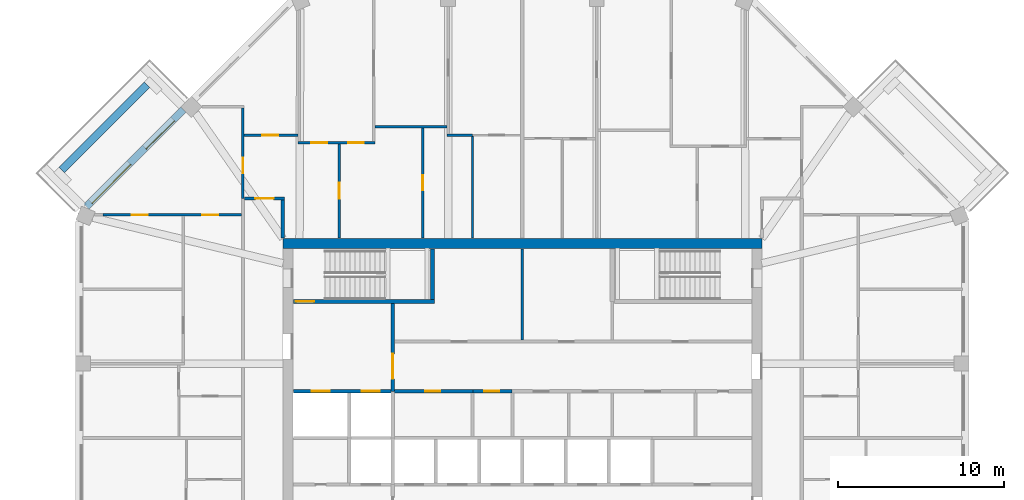
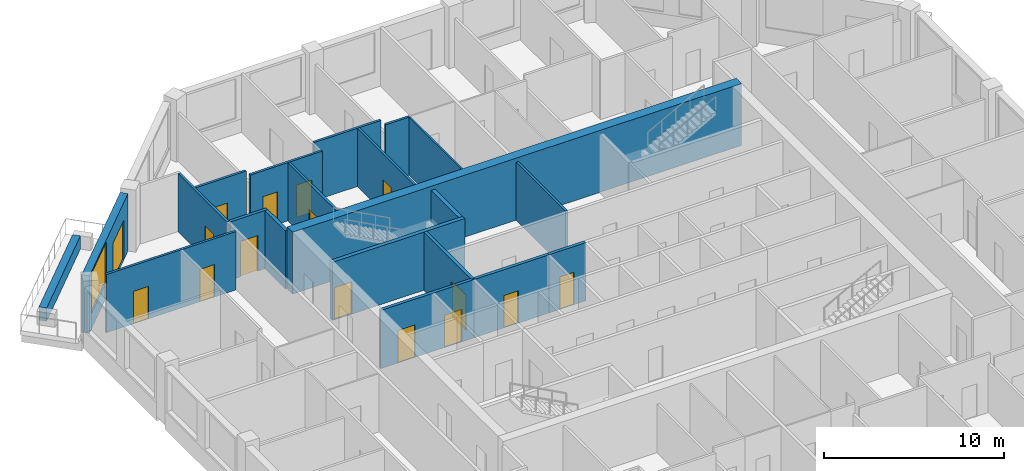
# One storey, part 7 of 11: 21 walls, 16 doors, 1 window, 17 openings.
"""IFC4 building model written with IfcOpenShell, lengths in metres."""

from ifc_helpers import new_model, si_unit, direction, frame, frame_2d, origin, place, context, subcontext, project, spatial, rectangle, extrude, material, layer, layer_set, type_object, element, fill, save


model = new_model("IFC4")

# Units and contexts
model_context = context("Model", 3, precision=1e-05, world=origin(), true_north=direction((0.0, 1.0)))
body_context = subcontext(model_context, "Body", "Model", "MODEL_VIEW")
ifc_project = project(units=[si_unit("LENGTHUNIT", "METRE"), si_unit("AREAUNIT", "SQUARE_METRE"), si_unit("VOLUMEUNIT", "CUBIC_METRE"), si_unit("PLANEANGLEUNIT", "RADIAN"), si_unit("MASSUNIT", "GRAM", prefix="KILO")], contexts=[model_context])

# Site, building, storey
site_placement = place(None, origin())
site = spatial("IfcSite", under=ifc_project, at=site_placement, CompositionType="ELEMENT")
building_placement = place(site_placement, origin())
building = spatial("IfcBuilding", under=site, at=building_placement, Name="Msitu Wima Residences", CompositionType="ELEMENT")
storey_placement = place(building_placement, frame((0.0, 0.0, 230.699951171875)))
storey = spatial("IfcBuildingStorey", under=building, at=storey_placement, Name="L53", CompositionType="ELEMENT", Elevation=230.699951171875)

# Wall
ifc_material_1 = material(Name="Facing brick")
ifc_layer_1 = layer(ifc_material_1, 0.06494140625, Name="Facing brick")
ifc_material_2 = material(Name="Concrete C40/50", Category="concrete")
ifc_layer_2 = layer(ifc_material_2, 0.156005859375, Name="Concrete C40/50")
ifc_material_3 = material(Name="Waterproofing membrane")
ifc_layer_3 = layer(ifc_material_3, 0.00390625, Name="Waterproofing membrane")
ifc_material_4 = material(Name="Planting soil and planting")
ifc_layer_4 = layer(ifc_material_4, 0.22509765625, Name="Planting soil and planting")
ifc_layer_set_1 = layer_set([ifc_layer_1, ifc_layer_2, ifc_layer_3, ifc_layer_4], Name="Concrete C40/50")
wall_type_1 = type_object("IfcWallType", Name="Balcony planter PLANTER PL450", PredefinedType="USERDEFINED", material=ifc_layer_set_1)
wall_1_placement = place(storey_placement, frame((-22.572265625, 21.228759765625, 0.0), z_axis=(0.0, 0.0, 1.0), x_axis=(-0.707106781187, -0.707106781187, 0.0)))
element("IfcWall", 1, at=wall_1_placement, inside=storey, type_object=wall_type_1, Name="Balcony planter NW1 L53", ObjectType="PLANTER", PredefinedType="USERDEFINED", context=body_context, shape_type="SweptSolid", body=[
    extrude(rectangle(XDim=7.23828125, YDim=0.449951171875, at=frame_2d((3.619140625, 0.0))), origin(), (0.0, 0.0, 1.0), 0.900146484375),
])

# Wall, openings, door, window
ifc_material_5 = material(Name="Brick (red buff mix)", Category="masonry")
ifc_layer_5 = layer(ifc_material_5, 0.449951171875)
ifc_layer_set_2 = layer_set([ifc_layer_5], Name="Brick (red buff mix)")
wall_type_2 = type_object("IfcWallType", Name="Brick infill wall BW450", PredefinedType="SOLIDWALL", material=ifc_layer_set_2)
wall_2_placement = place(storey_placement, frame((-20.380126953125, 19.743896484375, 0.0), z_axis=(0.0, 0.0, 1.0), x_axis=(-0.707106781187, -0.707106781187, 0.0)))
wall_2 = element("IfcWall", 2, at=wall_2_placement, inside=storey, type_object=wall_type_2, Name="Brick infill wall L53 NW1", PredefinedType="SOLIDWALL", context=body_context, shape_type="SweptSolid", body=[
    extrude(rectangle(XDim=8.251220703125, YDim=0.449951171875, at=frame_2d((4.12548828125, 0.0))), origin(), (0.0, 0.0, 1.0), 3.900146484375),
])
opening_1_placement = place(wall_2_placement, frame((0.86279296875, 0.0, 0.0)))
opening_1 = element("IfcOpeningElement", 3, at=opening_1_placement, cuts=wall_2, Name="Opening D52-54.004", PredefinedType="OPENING", context=body_context, shape_type="SweptSolid", body=[
    extrude(rectangle(XDim=2.39990234375, YDim=2.699951171875, at=frame_2d((1.199951171875, 1.35009765625))), frame((0.0, 0.23486328125, 0.0), z_axis=(0.0, -1.0, 0.0), x_axis=(1.0, 0.0, 0.0)), (0.0, 0.0, 1.0), 0.469970703125),
])
opening_2_placement = place(wall_2_placement, frame((4.57568359375, 0.0, 1.050048828125)))
opening_2 = element("IfcOpeningElement", 4, at=opening_2_placement, cuts=wall_2, Name="Opening W52-54.016", PredefinedType="OPENING", context=body_context, shape_type="SweptSolid", body=[
    extrude(rectangle(XDim=3.300048828125, YDim=2.699951171875, at=frame_2d((1.64990234375, 1.35009765625))), frame((0.0, 0.23486328125, 0.0), z_axis=(0.0, -1.0, 0.0), x_axis=(1.0, 0.0, 0.0)), (0.0, 0.0, 1.0), 0.469970703125),
])
ifc_material_6 = material(Name="Anodised aluminium, bronze finish, clear low-emissivity double glazing", Category="aluminium")
door_type_1 = type_object("IfcDoorType", Name="Balcony door D2400x2700", OperationType="SLIDING_TO_LEFT", PredefinedType="DOOR", material=ifc_material_6)
door_1_placement = place(opening_1_placement, origin())
door_1 = element("IfcDoor", 5, at=door_1_placement, inside=storey, type_object=door_type_1, Name="Balcony door L53 NW1", OperationType="SINGLE_SWING_LEFT", OverallHeight=2.699951171875, OverallWidth=2.39990234375, PredefinedType="DOOR", context=body_context, shape_type="SweptSolid", body=[
    extrude(rectangle(XDim=2.39990234375, YDim=2.699951171875, at=frame_2d((1.199951171875, 1.35009765625))), frame((0.0, 0.1298828125, 0.0), z_axis=(0.0, -1.0, 0.0), x_axis=(1.0, 0.0, 0.0)), (0.0, 0.0, 1.0), 0.050048828125),
])
fill(opening_1, door_1)
window_type = type_object("IfcWindowType", Name="Window W3300x2700", PartitioningType="DOUBLE_PANEL_VERTICAL", PredefinedType="WINDOW", material=ifc_material_6)
window_placement = place(opening_2_placement, origin())
window = element("IfcWindow", 6, at=window_placement, inside=storey, type_object=window_type, Name="Window L53 NW1.2", OverallHeight=2.699951171875, OverallWidth=3.300048828125, PartitioningType="SINGLE_PANEL", PredefinedType="WINDOW", context=body_context, shape_type="SweptSolid", body=[
    extrude(rectangle(XDim=3.300048828125, YDim=2.699951171875, at=frame_2d((1.64990234375, 1.35009765625))), frame((0.0, 0.135009765625, 0.0), z_axis=(0.0, -1.0, 0.0), x_axis=(1.0, 0.0, 0.0)), (0.0, 0.0, 1.0), 0.06005859375),
])
fill(opening_2, window)

# Wall
ifc_material_7 = material(Name="Concrete C50/60", Category="concrete")
ifc_layer_6 = layer(ifc_material_7, 0.60009765625)
ifc_layer_set_3 = layer_set([ifc_layer_6], Name="Concrete C50/60")
wall_type_3 = type_object("IfcWallType", Name="Core wall CW600 C50/60", PredefinedType="SHEAR", material=ifc_layer_set_3)
wall_3_placement = place(storey_placement, frame((-14.39990234375, 11.699951171875, 0.0), z_axis=(0.0, 0.0, 1.0), x_axis=(1.0, 0.0, 0.0)))
element("IfcWall", 7, at=wall_3_placement, inside=storey, type_object=wall_type_3, Name="Core wall", PredefinedType="SHEAR", context=body_context, shape_type="SweptSolid", body=[
    extrude(rectangle(XDim=28.7998046875, YDim=0.60009765625, at=frame_2d((14.39990234375, 0.0))), origin(), (0.0, 0.0, 1.0), 4.199951171875),
])

# Wall, opening, door
ifc_material_8 = material(Name="Plaster")
ifc_layer_7 = layer(ifc_material_8, 0.011962890625, Name="Plaster")
ifc_material_9 = material(Name="Concrete blockwork", Category="masonry")
ifc_layer_8 = layer(ifc_material_9, 0.176025390625, Name="Concrete blockwork")
ifc_layer_9 = layer(ifc_material_8, 0.011962890625, Name="Plaster")
ifc_layer_set_4 = layer_set([ifc_layer_7, ifc_layer_8, ifc_layer_9], Name="Concrete blockwork")
wall_type_4 = type_object("IfcWallType", Name="Corridor wall FW200", PredefinedType="PARTITIONING", material=ifc_layer_set_4)
wall_4_placement = place(storey_placement, frame((-16.699951171875, 14.39990234375, 0.0), z_axis=(0.0, 0.0, 1.0), x_axis=(1.0, 0.0, 0.0)))
wall_4 = element("IfcWall", 8, at=wall_4_placement, inside=storey, type_object=wall_type_4, Name="Corridor wall", PredefinedType="PARTITIONING", context=body_context, shape_type="SweptSolid", body=[
    extrude(rectangle(XDim=2.39990234375, YDim=0.199951171875, at=frame_2d((1.199951171875, 0.0))), origin(), (0.0, 0.0, 1.0), 3.949951171875),
])
opening_3_placement = place(wall_4_placement, frame((0.64990234375, 0.0, 0.0)))
opening_3 = element("IfcOpeningElement", 9, at=opening_3_placement, cuts=wall_4, Name="Opening D52-54.022", PredefinedType="OPENING", context=body_context, shape_type="SweptSolid", body=[
    extrude(rectangle(XDim=1.10009765625, YDim=2.39990234375, at=frame_2d((0.550048828125, 1.199951171875))), frame((0.0, 0.10986328125, 0.0), z_axis=(0.0, -1.0, 0.0), x_axis=(1.0, 0.0, 0.0)), (0.0, 0.0, 1.0), 0.219970703125),
])
ifc_material_10 = material(Name="Timber flush door, fire resisting, self-closing", Category="wood")
door_type_2 = type_object("IfcDoorType", Name="Flat entrance door D01 1100x2400", OperationType="SINGLE_SWING_LEFT", PredefinedType="DOOR", material=ifc_material_10)
door_2_placement = place(opening_3_placement, origin())
door_2 = element("IfcDoor", 10, at=door_2_placement, inside=storey, type_object=door_type_2, Name="Flat entrance door", OperationType="SINGLE_SWING_LEFT", OverallHeight=2.39990234375, OverallWidth=1.10009765625, PredefinedType="DOOR", context=body_context, shape_type="SweptSolid", body=[
    extrude(rectangle(XDim=1.10009765625, YDim=2.39990234375, at=frame_2d((0.550048828125, 1.199951171875))), frame((0.0, 0.02490234375, 0.0), z_axis=(0.0, -1.0, 0.0), x_axis=(1.0, 0.0, 0.0)), (0.0, 0.0, 1.0), 0.050048828125),
])
fill(opening_3, door_2)

# Wall
wall_5_placement = place(storey_placement, frame((-14.39990234375, 12.030029296875, 0.0), z_axis=(0.0, 0.0, 1.0), x_axis=(0.0, 1.0, 0.0)))
element("IfcWall", 11, at=wall_5_placement, inside=storey, type_object=wall_type_4, Name="Corridor wall", PredefinedType="PARTITIONING", context=body_context, shape_type="SweptSolid", body=[
    extrude(rectangle(XDim=2.27001953125, YDim=0.199951171875, at=frame_2d((1.135009765625, 0.0))), origin(), (0.0, 0.0, 1.0), 3.949951171875),
])

# Wall, opening, door
wall_6_placement = place(storey_placement, frame((-7.800048828125, 2.800048828125, 0.0), z_axis=(0.0, 0.0, 1.0), x_axis=(1.0, 0.0, 0.0)))
wall_6 = element("IfcWall", 12, at=wall_6_placement, inside=storey, type_object=wall_type_4, Name="Corridor wall", PredefinedType="PARTITIONING", context=body_context, shape_type="SweptSolid", body=[
    extrude(rectangle(XDim=4.820068359375, YDim=0.199951171875, at=frame_2d((2.41015625, 0.0))), origin(), (0.0, 0.0, 1.0), 3.949951171875),
])
opening_4_placement = place(wall_6_placement, frame((1.949951171875, 0.0, 0.0)))
opening_4 = element("IfcOpeningElement", 13, at=opening_4_placement, cuts=wall_6, Name="Opening D52-54.078", PredefinedType="OPENING", context=body_context, shape_type="SweptSolid", body=[
    extrude(rectangle(XDim=0.89990234375, YDim=2.199951171875, at=frame_2d((0.449951171875, 1.10009765625))), frame((0.0, 0.10986328125, 0.0), z_axis=(0.0, -1.0, 0.0), x_axis=(1.0, 0.0, 0.0)), (0.0, 0.0, 1.0), 0.219970703125),
])
ifc_material_11 = material(Name="Timber flush door", Category="wood")
door_type_3 = type_object("IfcDoorType", Name="Service door D05 900x2200", OperationType="SINGLE_SWING_LEFT", PredefinedType="DOOR", material=ifc_material_11)
door_3_placement = place(opening_4_placement, origin())
door_3 = element("IfcDoor", 14, at=door_3_placement, inside=storey, type_object=door_type_3, Name="Service door", OperationType="SINGLE_SWING_RIGHT", OverallHeight=2.199951171875, OverallWidth=0.89990234375, PredefinedType="DOOR", context=body_context, shape_type="SweptSolid", body=[
    extrude(rectangle(XDim=0.89990234375, YDim=2.199951171875, at=frame_2d((0.449951171875, 1.10009765625))), frame((0.0, 0.02490234375, 0.0), z_axis=(0.0, -1.0, 0.0), x_axis=(1.0, 0.0, 0.0)), (0.0, 0.0, 1.0), 0.050048828125),
])
fill(opening_4, door_3)

wall_7_placement = place(storey_placement, frame((-7.800048828125, 2.800048828125, 0.0), z_axis=(0.0, 0.0, 1.0), x_axis=(0.0, 1.0, 0.0)))
wall_7 = element("IfcWall", 15, at=wall_7_placement, inside=storey, type_object=wall_type_4, Name="Corridor wall", PredefinedType="PARTITIONING", context=body_context, shape_type="SweptSolid", body=[
    extrude(rectangle(XDim=5.27490234375, YDim=0.199951171875, at=frame_2d((2.637451171875, 0.0))), origin(), (0.0, 0.0, 1.0), 3.949951171875),
])
opening_5_placement = place(wall_7_placement, frame((0.75, 0.0, 0.0)))
opening_5 = element("IfcOpeningElement", 16, at=opening_5_placement, cuts=wall_7, Name="Opening D52-54.068", PredefinedType="OPENING", context=body_context, shape_type="SweptSolid", body=[
    extrude(rectangle(XDim=1.5, YDim=2.39990234375, at=frame_2d((0.75, 1.199951171875))), frame((0.0, 0.10986328125, 0.0), z_axis=(0.0, -1.0, 0.0), x_axis=(1.0, 0.0, 0.0)), (0.0, 0.0, 1.0), 0.219970703125),
])
ifc_material_12 = material(Name="Steel framed glazed door, fire resisting", Category="steel")
door_type_4 = type_object("IfcDoorType", Name="Lobby door D07 1500x2400", OperationType="DOUBLE_DOOR_SINGLE_SWING", PredefinedType="DOOR", material=ifc_material_12)
door_4_placement = place(opening_5_placement, origin())
door_4 = element("IfcDoor", 17, at=door_4_placement, inside=storey, type_object=door_type_4, Name="Lobby door", OperationType="DOUBLE_DOOR_SINGLE_SWING", OverallHeight=2.39990234375, OverallWidth=1.5, PredefinedType="DOOR", context=body_context, shape_type="SweptSolid", body=[
    extrude(rectangle(XDim=1.5, YDim=2.39990234375, at=frame_2d((0.75, 1.199951171875))), frame((0.0, 0.02490234375, 0.0), z_axis=(0.0, -1.0, 0.0), x_axis=(1.0, 0.0, 0.0)), (0.0, 0.0, 1.0), 0.050048828125),
])
fill(opening_5, door_4)

# Wall, openings, doors
ifc_layer_10 = layer(ifc_material_8, 0.011962890625, Name="Plaster")
ifc_layer_11 = layer(ifc_material_9, 0.1259765625, Name="Concrete blockwork")
ifc_layer_12 = layer(ifc_material_8, 0.011962890625, Name="Plaster")
ifc_layer_set_5 = layer_set([ifc_layer_10, ifc_layer_11, ifc_layer_12], Name="Concrete blockwork")
wall_type_5 = type_object("IfcWallType", Name="Partition PW150", PredefinedType="PARTITIONING", material=ifc_layer_set_5)
wall_8_placement = place(storey_placement, frame((-25.22412109375, 13.406005859375, 0.0), z_axis=(0.0, 0.0, 1.0), x_axis=(1.0, 0.0, 0.0)))
wall_8 = element("IfcWall", 18, at=wall_8_placement, inside=storey, type_object=wall_type_5, Name="Partition", PredefinedType="PARTITIONING", context=body_context, shape_type="SweptSolid", body=[
    extrude(rectangle(XDim=8.32421875, YDim=0.14990234375, at=frame_2d((4.162109375, 0.0))), origin(), (0.0, 0.0, 1.0), 3.949951171875),
])
opening_6_placement = place(wall_8_placement, frame((5.992919921875, 0.0, 0.0)))
opening_6 = element("IfcOpeningElement", 19, at=opening_6_placement, cuts=wall_8, Name="Opening D52-54.034", PredefinedType="OPENING", context=body_context, shape_type="SweptSolid", body=[
    extrude(rectangle(XDim=0.949951171875, YDim=2.199951171875, at=frame_2d((0.47509765625, 1.10009765625))), frame((0.0, 0.0849609375, 0.0), z_axis=(0.0, -1.0, 0.0), x_axis=(1.0, 0.0, 0.0)), (0.0, 0.0, 1.0), 0.169921875),
])
opening_7_placement = place(wall_8_placement, frame((1.742919921875, 0.0, 0.0)))
opening_7 = element("IfcOpeningElement", 20, at=opening_7_placement, cuts=wall_8, Name="Opening D52-54.024", PredefinedType="OPENING", context=body_context, shape_type="SweptSolid", body=[
    extrude(rectangle(XDim=0.949951171875, YDim=2.199951171875, at=frame_2d((0.47509765625, 1.10009765625))), frame((0.0, 0.0849609375, 0.0), z_axis=(0.0, -1.0, 0.0), x_axis=(1.0, 0.0, 0.0)), (0.0, 0.0, 1.0), 0.169921875),
])
door_type_5 = type_object("IfcDoorType", Name="Room door D12 950x2200", OperationType="SINGLE_SWING_LEFT", PredefinedType="DOOR", material=ifc_material_11)
door_5_placement = place(opening_6_placement, origin())
door_5 = element("IfcDoor", 21, at=door_5_placement, inside=storey, type_object=door_type_5, Name="Room door", OperationType="SINGLE_SWING_RIGHT", OverallHeight=2.199951171875, OverallWidth=0.949951171875, PredefinedType="DOOR", context=body_context, shape_type="SweptSolid", body=[
    extrude(rectangle(XDim=0.949951171875, YDim=2.199951171875, at=frame_2d((0.47509765625, 1.10009765625))), frame((0.0, 0.02490234375, 0.0), z_axis=(0.0, -1.0, 0.0), x_axis=(1.0, 0.0, 0.0)), (0.0, 0.0, 1.0), 0.050048828125),
])
fill(opening_6, door_5)
door_6_placement = place(opening_7_placement, origin())
door_6 = element("IfcDoor", 22, at=door_6_placement, inside=storey, type_object=door_type_5, Name="Room door", OperationType="SINGLE_SWING_LEFT", OverallHeight=2.199951171875, OverallWidth=0.949951171875, PredefinedType="DOOR", context=body_context, shape_type="SweptSolid", body=[
    extrude(rectangle(XDim=0.949951171875, YDim=2.199951171875, at=frame_2d((0.47509765625, 1.10009765625))), frame((0.0, 0.02490234375, 0.0), z_axis=(0.0, -1.0, 0.0), x_axis=(1.0, 0.0, 0.0)), (0.0, 0.0, 1.0), 0.050048828125),
])
fill(opening_7, door_6)

# Wall, opening, door
wall_9_placement = place(storey_placement, frame((-16.800048828125, 14.39990234375, 0.0), z_axis=(0.0, 0.0, 1.0), x_axis=(0.0, 1.0, 0.0)))
wall_9 = element("IfcWall", 23, at=wall_9_placement, inside=storey, type_object=wall_type_5, Name="Partition", PredefinedType="PARTITIONING", context=body_context, shape_type="SweptSolid", body=[
    extrude(rectangle(XDim=5.427978515625, YDim=0.14990234375, at=frame_2d((2.7138671875, 0.0))), origin(), (0.0, 0.0, 1.0), 3.949951171875),
])
opening_8_placement = place(wall_9_placement, frame((1.5, 0.0, 0.0)))
opening_8 = element("IfcOpeningElement", 24, at=opening_8_placement, cuts=wall_9, Name="Opening D52-54.031", PredefinedType="OPENING", context=body_context, shape_type="SweptSolid", body=[
    extrude(rectangle(XDim=0.949951171875, YDim=2.199951171875, at=frame_2d((0.47509765625, 1.10009765625))), frame((0.0, 0.0849609375, 0.0), z_axis=(0.0, -1.0, 0.0), x_axis=(1.0, 0.0, 0.0)), (0.0, 0.0, 1.0), 0.169921875),
])
door_7_placement = place(opening_8_placement, origin())
door_7 = element("IfcDoor", 25, at=door_7_placement, inside=storey, type_object=door_type_5, Name="Room door", OperationType="SINGLE_SWING_LEFT", OverallHeight=2.199951171875, OverallWidth=0.949951171875, PredefinedType="DOOR", context=body_context, shape_type="SweptSolid", body=[
    extrude(rectangle(XDim=0.949951171875, YDim=2.199951171875, at=frame_2d((0.47509765625, 1.10009765625))), frame((0.0, 0.02490234375, 0.0), z_axis=(0.0, -1.0, 0.0), x_axis=(1.0, 0.0, 0.0)), (0.0, 0.0, 1.0), 0.050048828125),
])
fill(opening_8, door_7)

wall_10_placement = place(storey_placement, frame((-16.72509765625, 18.199951171875, 0.0), z_axis=(0.0, 0.0, 1.0), x_axis=(1.0, 0.0, 0.0)))
wall_10 = element("IfcWall", 26, at=wall_10_placement, inside=storey, type_object=wall_type_5, Name="Partition", PredefinedType="PARTITIONING", context=body_context, shape_type="SweptSolid", body=[
    extrude(rectangle(XDim=3.244140625, YDim=0.14990234375, at=frame_2d((1.6220703125, 0.0))), origin(), (0.0, 0.0, 1.0), 3.949951171875),
])
opening_9_placement = place(wall_10_placement, frame((1.10009765625, 0.0, 0.0)))
opening_9 = element("IfcOpeningElement", 27, at=opening_9_placement, cuts=wall_10, Name="Opening D52-54.030", PredefinedType="OPENING", context=body_context, shape_type="SweptSolid", body=[
    extrude(rectangle(XDim=0.949951171875, YDim=2.199951171875, at=frame_2d((0.47509765625, 1.10009765625))), frame((0.0, 0.0849609375, 0.0), z_axis=(0.0, -1.0, 0.0), x_axis=(1.0, 0.0, 0.0)), (0.0, 0.0, 1.0), 0.169921875),
])
door_8_placement = place(opening_9_placement, origin())
door_8 = element("IfcDoor", 28, at=door_8_placement, inside=storey, type_object=door_type_5, Name="Room door", OperationType="SINGLE_SWING_LEFT", OverallHeight=2.199951171875, OverallWidth=0.949951171875, PredefinedType="DOOR", context=body_context, shape_type="SweptSolid", body=[
    extrude(rectangle(XDim=0.949951171875, YDim=2.199951171875, at=frame_2d((0.47509765625, 1.10009765625))), frame((0.0, 0.02490234375, 0.0), z_axis=(0.0, -1.0, 0.0), x_axis=(1.0, 0.0, 0.0)), (0.0, 0.0, 1.0), 0.050048828125),
])
fill(opening_9, door_8)

# Wall, openings, doors
wall_11_placement = place(storey_placement, frame((-13.48095703125, 17.75, 0.0), z_axis=(0.0, 0.0, 1.0), x_axis=(1.0, 0.0, 0.0)))
wall_11 = element("IfcWall", 29, at=wall_11_placement, inside=storey, type_object=wall_type_5, Name="Partition", PredefinedType="PARTITIONING", context=body_context, shape_type="SweptSolid", body=[
    extrude(rectangle(XDim=4.61865234375, YDim=0.14990234375, at=frame_2d((2.309326171875, 0.0))), origin(), (0.0, 0.0, 1.0), 3.949951171875),
])
opening_10_placement = place(wall_11_placement, frame((0.800048828125, 0.0, 0.0)))
opening_10 = element("IfcOpeningElement", 30, at=opening_10_placement, cuts=wall_11, Name="Opening D52-54.029", PredefinedType="OPENING", context=body_context, shape_type="SweptSolid", body=[
    extrude(rectangle(XDim=0.949951171875, YDim=2.199951171875, at=frame_2d((0.47509765625, 1.10009765625))), frame((0.0, 0.0849609375, 0.0), z_axis=(0.0, -1.0, 0.0), x_axis=(1.0, 0.0, 0.0)), (0.0, 0.0, 1.0), 0.169921875),
])
opening_11_placement = place(wall_11_placement, frame((3.0, 0.0, 0.0)))
opening_11 = element("IfcOpeningElement", 31, at=opening_11_placement, cuts=wall_11, Name="Opening D52-54.028", PredefinedType="OPENING", context=body_context, shape_type="SweptSolid", body=[
    extrude(rectangle(XDim=0.949951171875, YDim=2.199951171875, at=frame_2d((0.47509765625, 1.10009765625))), frame((0.0, 0.0849609375, 0.0), z_axis=(0.0, -1.0, 0.0), x_axis=(1.0, 0.0, 0.0)), (0.0, 0.0, 1.0), 0.169921875),
])
door_9_placement = place(opening_10_placement, origin())
door_9 = element("IfcDoor", 32, at=door_9_placement, inside=storey, type_object=door_type_5, Name="Room door", OperationType="SINGLE_SWING_LEFT", OverallHeight=2.199951171875, OverallWidth=0.949951171875, PredefinedType="DOOR", context=body_context, shape_type="SweptSolid", body=[
    extrude(rectangle(XDim=0.949951171875, YDim=2.199951171875, at=frame_2d((0.47509765625, 1.10009765625))), frame((0.0, 0.02490234375, 0.0), z_axis=(0.0, -1.0, 0.0), x_axis=(1.0, 0.0, 0.0)), (0.0, 0.0, 1.0), 0.050048828125),
])
fill(opening_10, door_9)
door_10_placement = place(opening_11_placement, origin())
door_10 = element("IfcDoor", 33, at=door_10_placement, inside=storey, type_object=door_type_5, Name="Room door", OperationType="SINGLE_SWING_RIGHT", OverallHeight=2.199951171875, OverallWidth=0.949951171875, PredefinedType="DOOR", context=body_context, shape_type="SweptSolid", body=[
    extrude(rectangle(XDim=0.949951171875, YDim=2.199951171875, at=frame_2d((0.47509765625, 1.10009765625))), frame((0.0, 0.02490234375, 0.0), z_axis=(0.0, -1.0, 0.0), x_axis=(1.0, 0.0, 0.0)), (0.0, 0.0, 1.0), 0.050048828125),
])
fill(opening_11, door_10)

# Wall, opening, door
wall_12_placement = place(storey_placement, frame((-11.0, 12.030029296875, 0.0), z_axis=(0.0, 0.0, 1.0), x_axis=(0.0, 1.0, 0.0)))
wall_12 = element("IfcWall", 34, at=wall_12_placement, inside=storey, type_object=wall_type_5, Name="Partition", PredefinedType="PARTITIONING", context=body_context, shape_type="SweptSolid", body=[
    extrude(rectangle(XDim=5.64501953125, YDim=0.14990234375, at=frame_2d((2.822509765625, 0.0))), origin(), (0.0, 0.0, 1.0), 3.949951171875),
])
opening_12_placement = place(wall_12_placement, frame((2.35009765625, 0.0, 0.0)))
opening_12 = element("IfcOpeningElement", 35, at=opening_12_placement, cuts=wall_12, Name="Opening D52-54.023", PredefinedType="OPENING", context=body_context, shape_type="SweptSolid", body=[
    extrude(rectangle(XDim=0.949951171875, YDim=2.199951171875, at=frame_2d((0.47509765625, 1.10009765625))), frame((0.0, 0.0849609375, 0.0), z_axis=(0.0, -1.0, 0.0), x_axis=(1.0, 0.0, 0.0)), (0.0, 0.0, 1.0), 0.169921875),
])
door_11_placement = place(opening_12_placement, origin())
door_11 = element("IfcDoor", 36, at=door_11_placement, inside=storey, type_object=door_type_5, Name="Room door", OperationType="SINGLE_SWING_LEFT", OverallHeight=2.199951171875, OverallWidth=0.949951171875, PredefinedType="DOOR", context=body_context, shape_type="SweptSolid", body=[
    extrude(rectangle(XDim=0.949951171875, YDim=2.199951171875, at=frame_2d((0.47509765625, 1.10009765625))), frame((0.0, 0.02490234375, 0.0), z_axis=(0.0, -1.0, 0.0), x_axis=(1.0, 0.0, 0.0)), (0.0, 0.0, 1.0), 0.050048828125),
])
fill(opening_12, door_11)

# Wall
wall_13_placement = place(storey_placement, frame((-8.8623046875, 18.699951171875, 0.0), z_axis=(0.0, 0.0, 1.0), x_axis=(1.0, 0.0, 0.0)))
element("IfcWall", 37, at=wall_13_placement, inside=storey, type_object=wall_type_5, Name="Partition", PredefinedType="PARTITIONING", context=body_context, shape_type="SweptSolid", body=[
    extrude(rectangle(XDim=4.318603515625, YDim=0.14990234375, at=frame_2d((2.1591796875, 0.0))), origin(), (0.0, 0.0, 1.0), 3.949951171875),
])

# Wall, opening, door
wall_14_placement = place(storey_placement, frame((-6.0, 12.030029296875, 0.0), z_axis=(0.0, 0.0, 1.0), x_axis=(0.0, 1.0, 0.0)))
wall_14 = element("IfcWall", 38, at=wall_14_placement, inside=storey, type_object=wall_type_5, Name="Partition", PredefinedType="PARTITIONING", context=body_context, shape_type="SweptSolid", body=[
    extrude(rectangle(XDim=6.594970703125, YDim=0.14990234375, at=frame_2d((3.29736328125, 0.0))), origin(), (0.0, 0.0, 1.0), 3.949951171875),
])
opening_13_placement = place(wall_14_placement, frame((2.85009765625, 0.0, 0.0)))
opening_13 = element("IfcOpeningElement", 39, at=opening_13_placement, cuts=wall_14, Name="Opening D52-54.032", PredefinedType="OPENING", context=body_context, shape_type="SweptSolid", body=[
    extrude(rectangle(XDim=0.89990234375, YDim=2.199951171875, at=frame_2d((0.449951171875, 1.10009765625))), frame((0.0, 0.0849609375, 0.0), z_axis=(0.0, -1.0, 0.0), x_axis=(1.0, 0.0, 0.0)), (0.0, 0.0, 1.0), 0.169921875),
])
door_12_placement = place(opening_13_placement, origin())
door_12 = element("IfcDoor", 40, at=door_12_placement, inside=storey, type_object=door_type_3, Name="Service door", OperationType="SINGLE_SWING_LEFT", OverallHeight=2.199951171875, OverallWidth=0.89990234375, PredefinedType="DOOR", context=body_context, shape_type="SweptSolid", body=[
    extrude(rectangle(XDim=0.89990234375, YDim=2.199951171875, at=frame_2d((0.449951171875, 1.10009765625))), frame((0.0, 0.02490234375, 0.0), z_axis=(0.0, -1.0, 0.0), x_axis=(1.0, 0.0, 0.0)), (0.0, 0.0, 1.0), 0.050048828125),
])
fill(opening_13, door_12)

# Walls
wall_15_placement = place(storey_placement, frame((-4.543701171875, 18.199951171875, 0.0), z_axis=(0.0, 0.0, 1.0), x_axis=(1.0, 0.0, 0.0)))
element("IfcWall", 41, at=wall_15_placement, inside=storey, type_object=wall_type_5, Name="Partition", PredefinedType="PARTITIONING", context=body_context, shape_type="SweptSolid", body=[
    extrude(rectangle(XDim=1.543701171875, YDim=0.14990234375, at=frame_2d((0.77197265625, 0.0))), origin(), (0.0, 0.0, 1.0), 3.949951171875),
])
wall_16_placement = place(storey_placement, frame((0.0, 5.89990234375, 0.0), z_axis=(0.0, 0.0, 1.0), x_axis=(0.0, 1.0, 0.0)))
element("IfcWall", 42, at=wall_16_placement, inside=storey, type_object=wall_type_5, Name="Partition", PredefinedType="PARTITIONING", context=body_context, shape_type="SweptSolid", body=[
    extrude(rectangle(XDim=5.47021484375, YDim=0.14990234375, at=frame_2d((2.735107421875, 0.0))), origin(), (0.0, 0.0, 1.0), 3.949951171875),
])

# Wall, opening, door
ifc_layer_13 = layer(ifc_material_8, 0.011962890625, Name="Plaster")
ifc_material_13 = material(Name="Reinforced concrete blockwork", Category="masonry")
ifc_layer_14 = layer(ifc_material_13, 0.176025390625, Name="Reinforced concrete blockwork")
ifc_layer_15 = layer(ifc_material_8, 0.011962890625, Name="Plaster")
ifc_layer_set_6 = layer_set([ifc_layer_13, ifc_layer_14, ifc_layer_15], Name="Reinforced concrete blockwork")
wall_type_6 = type_object("IfcWallType", Name="Plant and riser wall PL200", PredefinedType="PARTITIONING", material=ifc_layer_set_6)
wall_17_placement = place(storey_placement, frame((-2.97998046875, 2.800048828125, 0.0), z_axis=(0.0, 0.0, 1.0), x_axis=(1.0, 0.0, 0.0)))
wall_17 = element("IfcWall", 43, at=wall_17_placement, inside=storey, type_object=wall_type_6, Name="Plant and riser wall", PredefinedType="PARTITIONING", context=body_context, shape_type="SweptSolid", body=[
    extrude(rectangle(XDim=2.35986328125, YDim=0.199951171875, at=frame_2d((1.179931640625, 0.0))), origin(), (0.0, 0.0, 1.0), 3.949951171875),
])
opening_14_placement = place(wall_17_placement, frame((0.699951171875, 0.0, 0.0)))
opening_14 = element("IfcOpeningElement", 44, at=opening_14_placement, cuts=wall_17, Name="Opening D52-54.079", PredefinedType="OPENING", context=body_context, shape_type="SweptSolid", body=[
    extrude(rectangle(XDim=0.89990234375, YDim=2.199951171875, at=frame_2d((0.449951171875, 1.10009765625))), frame((0.0, 0.10986328125, 0.0), z_axis=(0.0, -1.0, 0.0), x_axis=(1.0, 0.0, 0.0)), (0.0, 0.0, 1.0), 0.219970703125),
])
door_13_placement = place(opening_14_placement, origin())
door_13 = element("IfcDoor", 45, at=door_13_placement, inside=storey, type_object=door_type_3, Name="Service door", OperationType="SINGLE_SWING_RIGHT", OverallHeight=2.199951171875, OverallWidth=0.89990234375, PredefinedType="DOOR", context=body_context, shape_type="SweptSolid", body=[
    extrude(rectangle(XDim=0.89990234375, YDim=2.199951171875, at=frame_2d((0.449951171875, 1.10009765625))), frame((0.0, 0.02490234375, 0.0), z_axis=(0.0, -1.0, 0.0), x_axis=(1.0, 0.0, 0.0)), (0.0, 0.0, 1.0), 0.050048828125),
])
fill(opening_14, door_13)

# Wall, openings, doors
ifc_material_14 = material(Name="Fire-rated board")
ifc_layer_16 = layer(ifc_material_14, 0.02490234375, Name="Fire-rated board")
ifc_material_15 = material(Name="Light-gauge stud framing with mineral wool")
ifc_layer_17 = layer(ifc_material_15, 0.14990234375, Name="Light-gauge stud framing with mineral wool")
ifc_layer_18 = layer(ifc_material_14, 0.02490234375, Name="Fire-rated board")
ifc_layer_set_7 = layer_set([ifc_layer_16, ifc_layer_17, ifc_layer_18], Name="Light-gauge stud framing with mineral wool")
wall_type_7 = type_object("IfcWallType", Name="Shaft wall SH200", PredefinedType="PARTITIONING", material=ifc_layer_set_7)
wall_18_placement = place(storey_placement, frame((-13.77001953125, 2.800048828125, 0.0), z_axis=(0.0, 0.0, 1.0), x_axis=(1.0, 0.0, 0.0)))
wall_18 = element("IfcWall", 46, at=wall_18_placement, inside=storey, type_object=wall_type_7, Name="Shaft wall", PredefinedType="PARTITIONING", context=body_context, shape_type="SweptSolid", body=[
    extrude(rectangle(XDim=5.969970703125, YDim=0.199951171875, at=frame_2d((2.98486328125, 0.0))), origin(), (0.0, 0.0, 1.0), 3.949951171875),
])
opening_15_placement = place(wall_18_placement, frame((1.10009765625, 0.0, 0.0)))
opening_15 = element("IfcOpeningElement", 47, at=opening_15_placement, cuts=wall_18, Name="Opening LD", PredefinedType="OPENING", context=body_context, shape_type="SweptSolid", body=[
    extrude(rectangle(XDim=1.10009765625, YDim=2.199951171875, at=frame_2d((0.550048828125, 1.10009765625))), frame((0.0, 0.10986328125, 0.0), z_axis=(0.0, -1.0, 0.0), x_axis=(1.0, 0.0, 0.0)), (0.0, 0.0, 1.0), 0.219970703125),
])
opening_16_placement = place(wall_18_placement, frame((4.10009765625, 0.0, 0.0)))
opening_16 = element("IfcOpeningElement", 48, at=opening_16_placement, cuts=wall_18, Name="Opening LD", PredefinedType="OPENING", context=body_context, shape_type="SweptSolid", body=[
    extrude(rectangle(XDim=1.10009765625, YDim=2.199951171875, at=frame_2d((0.550048828125, 1.10009765625))), frame((0.0, 0.10986328125, 0.0), z_axis=(0.0, -1.0, 0.0), x_axis=(1.0, 0.0, 0.0)), (0.0, 0.0, 1.0), 0.219970703125),
])
ifc_material_16 = material(Name="Stainless steel centre-opening landing door, rated", Category="steel")
door_type_6 = type_object("IfcDoorType", Name="Lift landing door LD 1100x2200", OperationType="DOUBLE_DOOR_SLIDING", PredefinedType="DOOR", material=ifc_material_16)
door_14_placement = place(opening_15_placement, origin())
door_14 = element("IfcDoor", 49, at=door_14_placement, inside=storey, type_object=door_type_6, Name="Lift landing door LD1", OperationType="DOUBLE_DOOR_SLIDING", OverallHeight=2.199951171875, OverallWidth=1.10009765625, PredefinedType="DOOR", context=body_context, shape_type="SweptSolid", body=[
    extrude(rectangle(XDim=1.10009765625, YDim=2.199951171875, at=frame_2d((0.550048828125, 1.10009765625))), frame((0.0, 0.02490234375, 0.0), z_axis=(0.0, -1.0, 0.0), x_axis=(1.0, 0.0, 0.0)), (0.0, 0.0, 1.0), 0.050048828125),
])
fill(opening_15, door_14)
door_15_placement = place(opening_16_placement, origin())
door_15 = element("IfcDoor", 50, at=door_15_placement, inside=storey, type_object=door_type_6, Name="Lift landing door LD2", OperationType="DOUBLE_DOOR_SLIDING", OverallHeight=2.199951171875, OverallWidth=1.10009765625, PredefinedType="DOOR", context=body_context, shape_type="SweptSolid", body=[
    extrude(rectangle(XDim=1.10009765625, YDim=2.199951171875, at=frame_2d((0.550048828125, 1.10009765625))), frame((0.0, 0.02490234375, 0.0), z_axis=(0.0, -1.0, 0.0), x_axis=(1.0, 0.0, 0.0)), (0.0, 0.0, 1.0), 0.050048828125),
])
fill(opening_16, door_15)

# Wall, opening, door
ifc_layer_19 = layer(ifc_material_7, 0.25)
ifc_layer_set_8 = layer_set([ifc_layer_19], Name="Concrete C50/60")
wall_type_8 = type_object("IfcWallType", Name="Stair enclosure wall SW250", PredefinedType="SHEAR", material=ifc_layer_set_8)
wall_19_placement = place(storey_placement, frame((-13.77001953125, 8.199951171875, 0.0), z_axis=(0.0, 0.0, 1.0), x_axis=(1.0, 0.0, 0.0)))
wall_19 = element("IfcWall", 51, at=wall_19_placement, inside=storey, type_object=wall_type_8, Name="Stair enclosure wall", PredefinedType="SHEAR", context=body_context, shape_type="SweptSolid", body=[
    extrude(rectangle(XDim=8.4951171875, YDim=0.25, at=frame_2d((4.24755859375, 0.0))), origin(), (0.0, 0.0, 1.0), 3.949951171875),
])
opening_17_placement = place(wall_19_placement, frame((0.14990234375, 0.0, 0.0)))
opening_17 = element("IfcOpeningElement", 52, at=opening_17_placement, cuts=wall_19, Name="Opening D52-54.086", PredefinedType="OPENING", context=body_context, shape_type="SweptSolid", body=[
    extrude(rectangle(XDim=1.10009765625, YDim=2.199951171875, at=frame_2d((0.550048828125, 1.10009765625))), frame((0.0, 0.135009765625, 0.0), z_axis=(0.0, -1.0, 0.0), x_axis=(1.0, 0.0, 0.0)), (0.0, 0.0, 1.0), 0.27001953125),
])
ifc_material_17 = material(Name="Steel door, fire resisting, panic bar", Category="steel")
door_type_7 = type_object("IfcDoorType", Name="Stair door D06 1100x2200", OperationType="SINGLE_SWING_LEFT", PredefinedType="DOOR", material=ifc_material_17)
door_16_placement = place(opening_17_placement, origin())
door_16 = element("IfcDoor", 53, at=door_16_placement, inside=storey, type_object=door_type_7, Name="Stair door", OperationType="SINGLE_SWING_LEFT", OverallHeight=2.199951171875, OverallWidth=1.10009765625, PredefinedType="DOOR", context=body_context, shape_type="SweptSolid", body=[
    extrude(rectangle(XDim=1.10009765625, YDim=2.199951171875, at=frame_2d((0.550048828125, 1.10009765625))), frame((0.0, 0.02490234375, 0.0), z_axis=(0.0, -1.0, 0.0), x_axis=(1.0, 0.0, 0.0)), (0.0, 0.0, 1.0), 0.050048828125),
])
fill(opening_17, door_16)

# Walls
wall_20_placement = place(storey_placement, frame((-5.39990234375, 8.324951171875, 0.0), z_axis=(0.0, 0.0, 1.0), x_axis=(0.0, 1.0, 0.0)))
element("IfcWall", 54, at=wall_20_placement, inside=storey, type_object=wall_type_8, Name="Stair enclosure wall", PredefinedType="SHEAR", context=body_context, shape_type="SweptSolid", body=[
    extrude(rectangle(XDim=3.045166015625, YDim=0.25, at=frame_2d((1.5224609375, 0.0))), origin(), (0.0, 0.0, 1.0), 3.949951171875),
])
ifc_material_18 = material(Name="Ceramic tiles")
ifc_layer_20 = layer(ifc_material_18, 0.008056640625, Name="Ceramic tiles")
ifc_material_19 = material(Name="Moisture-resistant board")
ifc_layer_21 = layer(ifc_material_19, 0.012451171875, Name="Moisture-resistant board")
ifc_layer_22 = layer(ifc_material_15, 0.06689453125, Name="Light-gauge stud framing with mineral wool")
ifc_layer_23 = layer(ifc_material_19, 0.012451171875, Name="Moisture-resistant board")
ifc_layer_set_9 = layer_set([ifc_layer_20, ifc_layer_21, ifc_layer_22, ifc_layer_23], Name="Light-gauge stud framing with mineral wool")
wall_type_9 = type_object("IfcWallType", Name="Wet wall PW100", PredefinedType="PARTITIONING", material=ifc_layer_set_9)
wall_21_placement = place(storey_placement, frame((-3.0, 12.030029296875, 0.0), z_axis=(0.0, 0.0, 1.0), x_axis=(0.0, 1.0, 0.0)))
element("IfcWall", 55, at=wall_21_placement, inside=storey, type_object=wall_type_9, Name="Wet wall", PredefinedType="PARTITIONING", context=body_context, shape_type="SweptSolid", body=[
    extrude(rectangle(XDim=6.094970703125, YDim=0.10009765625, at=frame_2d((3.04736328125, 0.0))), origin(), (0.0, 0.0, 1.0), 3.949951171875),
])

save(model, "model.ifc")
